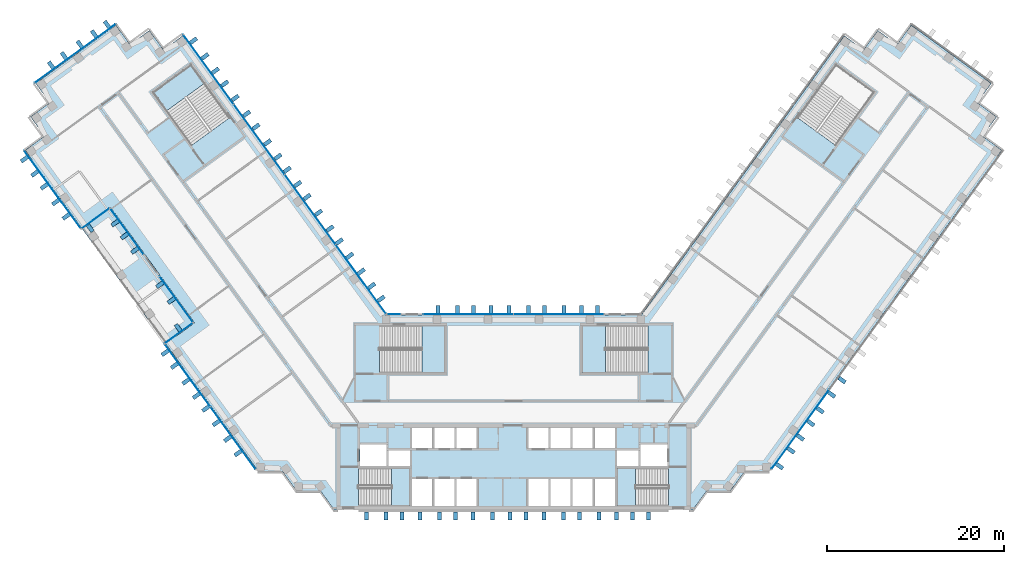
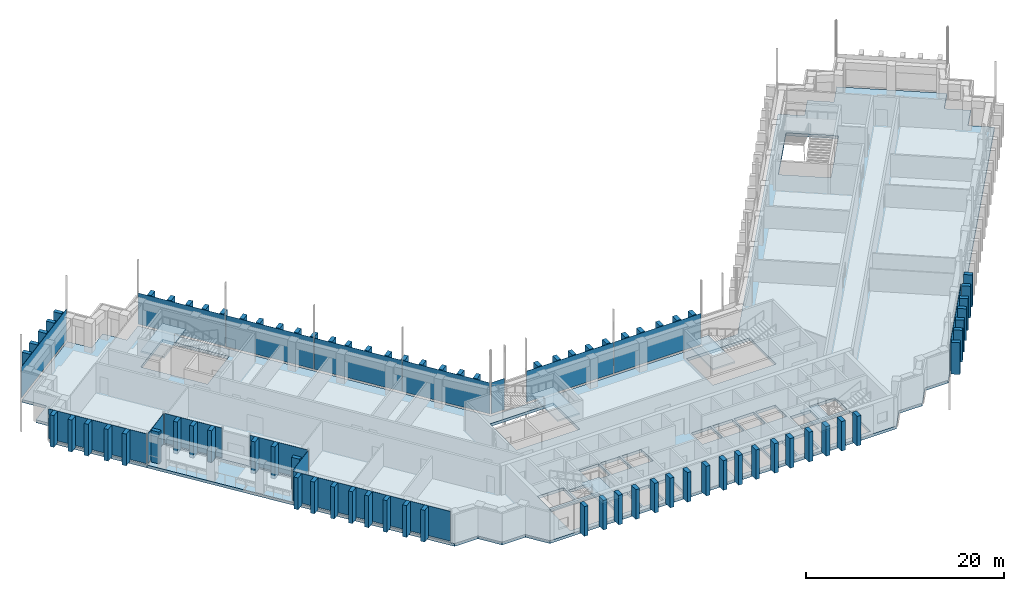
# One storey, part 8 of 19: 94 plates, 7 slabs, 16 elements without a shape of their own.
"""IFC4 building model written with IfcOpenShell, lengths in metres."""

from ifc_helpers import new_model, si_unit, direction, frame, origin, origin_2d, place, context, subcontext, project, spatial, polyline, rectangle, outline, extrude, material, layer, layer_set, type_object, element, aggregate, save


model = new_model("IFC4")

# Units and contexts
model_context = context("Model", 3, precision=1e-05, world=origin(), true_north=direction((0.0, 1.0)))
body_context = subcontext(model_context, "Body", "Model", "MODEL_VIEW")
ifc_project = project(units=[si_unit("LENGTHUNIT", "METRE"), si_unit("AREAUNIT", "SQUARE_METRE"), si_unit("VOLUMEUNIT", "CUBIC_METRE"), si_unit("PLANEANGLEUNIT", "RADIAN"), si_unit("MASSUNIT", "GRAM", prefix="KILO")], contexts=[model_context])

# Site, building, storey
site_placement = place(None, origin())
site = spatial("IfcSite", under=ifc_project, at=site_placement, CompositionType="ELEMENT")
building_placement = place(site_placement, origin())
building = spatial("IfcBuilding", under=site, at=building_placement, Name="Quipu Civic Tower", CompositionType="ELEMENT")
storey_placement = place(building_placement, frame((0.0, 0.0, 47.0)))
storey = spatial("IfcBuildingStorey", under=building, at=storey_placement, Name="L10", CompositionType="ELEMENT", Elevation=47.0)

# Slab
ifc_material_1 = material(Name="Concrete C40/50", Category="concrete")
ifc_layer_1 = layer(ifc_material_1, 0.35009765625)
ifc_layer_set_1 = layer_set([ifc_layer_1], Name="Concrete C40/50")
slab_type_1 = type_object("IfcSlabType", Name="Floor slab 350 C40/50", PredefinedType="FLOOR", material=ifc_layer_set_1)
slab_1_placement = place(storey_placement, frame((0.0, 0.0, -0.35009765625)))
element("IfcSlab", 1, at=slab_1_placement, inside=storey, type_object=slab_type_1, Name="Floor slab L10", PredefinedType="FLOOR", context=body_context, shape_type="SweptSolid", body=[
    extrude(outline(polyline([(-54.514892578125, 33.389892578125), (-52.3349609375, 34.97509765625), (-53.919921875, 37.159912109375), (-44.860107421875, 43.739990234375), (-43.27001953125, 41.56005859375), (-41.0849609375, 43.14501953125), (-39.5, 40.9599609375), (-37.31494140625, 42.550048828125), (-14.39501953125, 11.0), (14.39501953125, 11.0), (37.31494140625, 42.550048828125), (39.5, 40.9599609375), (41.0849609375, 43.14501953125), (43.27001953125, 41.56005859375), (44.860107421875, 43.739990234375), (53.919921875, 37.159912109375), (52.3349609375, 34.97509765625), (54.514892578125, 33.389892578125), (52.929931640625, 31.205078125), (55.114990234375, 29.614990234375), (28.780029296875, -6.6298828125), (26.080078125, -6.6298828125), (24.489990234375, -8.81494140625), (21.7900390625, -8.81494140625), (20.205078125, -11.0), (-20.205078125, -11.0), (-21.7900390625, -8.81494140625), (-24.489990234375, -8.81494140625), (-26.080078125, -6.6298828125), (-28.780029296875, -6.6298828125), (-39.2451171875, 7.77490234375), (-35.985107421875, 10.139892578125), (-45.5048828125, 23.2451171875), (-48.764892578125, 20.8798828125), (-55.114990234375, 29.614990234375), (-52.929931640625, 31.205078125), (-54.514892578125, 33.389892578125)]), holes=[polyline([(-11.449951171875, -7.5), (-11.449951171875, -10.5), (-9.14990234375, -10.5), (-9.14990234375, -7.5), (-11.449951171875, -7.5)]), polyline([(-6.64990234375, -7.5), (-8.949951171875, -7.5), (-8.949951171875, -10.5), (-6.64990234375, -10.5), (-6.64990234375, -7.5)]), polyline([(-4.14990234375, -7.5), (-6.449951171875, -7.5), (-6.449951171875, -10.5), (-4.14990234375, -10.5), (-4.14990234375, -7.5)]), polyline([(1.64990234375, -7.5), (1.64990234375, -10.5), (3.949951171875, -10.5), (3.949951171875, -7.5), (1.64990234375, -7.5)]), polyline([(-11.705078125, -10.4951171875), (-11.705078125, -6.2548828125), (-17.4951171875, -6.2548828125), (-17.4951171875, -10.4951171875), (-11.705078125, -10.4951171875)]), polyline([(-11.699951171875, -4.25), (-14.10009765625, -4.25), (-14.10009765625, -6.0), (-11.699951171875, -6.0), (-11.699951171875, -4.25)]), polyline([(-17.35009765625, -3.60009765625), (-17.35009765625, -6.0), (-14.35009765625, -6.0), (-14.35009765625, -3.60009765625), (-17.35009765625, -3.60009765625)]), polyline([(-9.14990234375, -1.699951171875), (-11.449951171875, -1.699951171875), (-11.449951171875, -4.0), (-9.14990234375, -4.0), (-9.14990234375, -1.699951171875)]), polyline([(-6.64990234375, -1.699951171875), (-8.949951171875, -1.699951171875), (-8.949951171875, -4.0), (-6.64990234375, -4.0), (-6.64990234375, -1.699951171875)]), polyline([(-6.449951171875, -1.699951171875), (-6.449951171875, -4.0), (-4.14990234375, -4.0), (-4.14990234375, -1.699951171875), (-6.449951171875, -1.699951171875)]), polyline([(-7.7548828125, 4.5048828125), (-7.7548828125, 9.844970703125), (-15.14501953125, 9.844970703125), (-15.14501953125, 4.5048828125), (-7.7548828125, 4.5048828125)]), polyline([(-36.364990234375, 39.27490234375), (-40.68505859375, 36.135009765625), (-36.344970703125, 30.159912109375), (-32.02490234375, 33.300048828125), (-36.364990234375, 39.27490234375)]), polyline([(4.14990234375, -7.5), (4.14990234375, -10.5), (6.449951171875, -10.5), (6.449951171875, -7.5), (4.14990234375, -7.5)]), polyline([(8.949951171875, -7.5), (6.64990234375, -7.5), (6.64990234375, -10.5), (8.949951171875, -10.5), (8.949951171875, -7.5)]), polyline([(11.449951171875, -7.5), (9.14990234375, -7.5), (9.14990234375, -10.5), (11.449951171875, -10.5), (11.449951171875, -7.5)]), polyline([(11.705078125, -10.4951171875), (17.4951171875, -10.4951171875), (17.4951171875, -6.2548828125), (11.705078125, -6.2548828125), (11.705078125, -10.4951171875)]), polyline([(14.10009765625, -4.25), (11.699951171875, -4.25), (11.699951171875, -6.0), (14.10009765625, -6.0), (14.10009765625, -4.25)]), polyline([(17.35009765625, -3.60009765625), (14.35009765625, -3.60009765625), (14.35009765625, -6.0), (17.35009765625, -6.0), (17.35009765625, -3.60009765625)]), polyline([(1.64990234375, -1.699951171875), (1.64990234375, -4.0), (3.949951171875, -4.0), (3.949951171875, -1.699951171875), (1.64990234375, -1.699951171875)]), polyline([(6.449951171875, -1.699951171875), (4.14990234375, -1.699951171875), (4.14990234375, -4.0), (6.449951171875, -4.0), (6.449951171875, -1.699951171875)]), polyline([(8.949951171875, -1.699951171875), (6.64990234375, -1.699951171875), (6.64990234375, -4.0), (8.949951171875, -4.0), (8.949951171875, -1.699951171875)]), polyline([(9.14990234375, -1.699951171875), (9.14990234375, -4.0), (11.449951171875, -4.0), (11.449951171875, -1.699951171875), (9.14990234375, -1.699951171875)]), polyline([(7.7548828125, 9.844970703125), (7.7548828125, 4.5048828125), (15.14501953125, 4.5048828125), (15.14501953125, 9.844970703125), (7.7548828125, 9.844970703125)]), polyline([(40.68505859375, 36.135009765625), (36.364990234375, 39.27490234375), (32.02490234375, 33.300048828125), (36.344970703125, 30.159912109375), (40.68505859375, 36.135009765625)])]), origin(), (0.0, 0.0, 1.0), 0.35009765625),
])

# Curtain wall, plate
ifc_material_2 = material(Name="Insulated glass unit", Category="glass")
curtain_wall_type = type_object("IfcCurtainWallType", Name="Office curtain wall CW1", PredefinedType="NOTDEFINED", material=ifc_material_2)
curtain_wall_1_placement = place(storey_placement, origin())
curtain_wall_1 = element("IfcCurtainWall", 2, at=curtain_wall_1_placement, inside=storey, type_object=curtain_wall_type, Name="Office curtain wall CW1 L10 run 1", PredefinedType="NOTDEFINED")
ifc_material_3 = material(Name="Insulated glass unit", Category="glass")
ifc_layer_2 = layer(ifc_material_3, 0.028076171875)
ifc_layer_set_2 = layer_set([ifc_layer_2], Name="Insulated glass unit")
plate_type_1 = type_object("IfcPlateType", Name="Glass panel CW1", PredefinedType="CURTAIN_PANEL", material=ifc_layer_set_2)
plate_1_placement = place(storey_placement, frame((-52.021240234375, 25.18896484375, 0.240234375), z_axis=(0.0, 0.0, 1.0), x_axis=(0.587788390037, -0.809014714661, 0.0)))
plate_1 = element("IfcPlate", 3, at=plate_1_placement, type_object=plate_type_1, Name="CW1 panel 1.1", PredefinedType="CURTAIN_PANEL", context=body_context, shape_type="SweptSolid", body=[
    extrude(rectangle(XDim=10.840087890625, YDim=0.028076171875, at=origin_2d()), origin(), (0.0, 0.0, 1.0), 3.679931640625),
])
aggregate(curtain_wall_1, [plate_1])

curtain_wall_2_placement = place(storey_placement, origin())
curtain_wall_2 = element("IfcCurtainWall", 4, at=curtain_wall_2_placement, inside=storey, type_object=curtain_wall_type, Name="Office curtain wall CW1 L10 run 2", PredefinedType="NOTDEFINED")
plate_2_placement = place(storey_placement, frame((-47.15869140625, 21.92333984375, 0.240234375), z_axis=(0.0, 0.0, 1.0), x_axis=(0.809010786419, 0.587793796716, 0.0)))
plate_2 = element("IfcPlate", 5, at=plate_2_placement, type_object=plate_type_1, Name="CW1 panel 1.1", PredefinedType="CURTAIN_PANEL", context=body_context, shape_type="SweptSolid", body=[
    extrude(rectangle(XDim=3.86865234375, YDim=0.028076171875, at=origin_2d()), origin(), (0.0, 0.0, 1.0), 3.679931640625),
])
aggregate(curtain_wall_2, [plate_2])

curtain_wall_3_placement = place(storey_placement, origin())
curtain_wall_3 = element("IfcCurtainWall", 6, at=curtain_wall_3_placement, inside=storey, type_object=curtain_wall_type, Name="Office curtain wall CW1 L10 run 3", PredefinedType="NOTDEFINED")
plate_3_placement = place(storey_placement, frame((-43.613525390625, 20.470458984375, 0.240234375), z_axis=(0.0, 0.0, 1.0), x_axis=(0.587778491936, -0.809021906018, 0.0)))
plate_3 = element("IfcPlate", 7, at=plate_3_placement, type_object=plate_type_1, Name="CW1 panel 1.1", PredefinedType="CURTAIN_PANEL", context=body_context, shape_type="SweptSolid", body=[
    extrude(rectangle(XDim=6.358642578125, YDim=0.028076171875, at=origin_2d()), origin(), (0.0, 0.0, 1.0), 3.679931640625),
])
aggregate(curtain_wall_3, [plate_3])

curtain_wall_4_placement = place(storey_placement, origin())
curtain_wall_4 = element("IfcCurtainWall", 8, at=curtain_wall_4_placement, inside=storey, type_object=curtain_wall_type, Name="Office curtain wall CW1 L10 run 5", PredefinedType="NOTDEFINED")
plate_4_placement = place(storey_placement, frame((-38.040283203125, 12.7998046875, 0.240234375), z_axis=(0.0, 0.0, 1.0), x_axis=(0.587783041125, -0.809018600878, 0.0)))
plate_4 = element("IfcPlate", 9, at=plate_4_placement, type_object=plate_type_1, Name="CW1 panel 1.1", PredefinedType="CURTAIN_PANEL", context=body_context, shape_type="SweptSolid", body=[
    extrude(rectangle(XDim=6.3583984375, YDim=0.028076171875, at=origin_2d()), origin(), (0.0, 0.0, 1.0), 3.679931640625),
])
aggregate(curtain_wall_4, [plate_4])

curtain_wall_5_placement = place(storey_placement, origin())
curtain_wall_5 = element("IfcCurtainWall", 10, at=curtain_wall_5_placement, inside=storey, type_object=curtain_wall_type, Name="Office curtain wall CW1 L10 run 6", PredefinedType="NOTDEFINED")
plate_5_placement = place(storey_placement, frame((-37.75439453125, 8.979248046875, 0.240234375), z_axis=(0.0, 0.0, 1.0), x_axis=(-0.809022590251, -0.587777550153, 0.0)))
plate_5 = element("IfcPlate", 11, at=plate_5_placement, type_object=plate_type_1, Name="CW1 panel 1.1", PredefinedType="CURTAIN_PANEL", context=body_context, shape_type="SweptSolid", body=[
    extrude(rectangle(XDim=3.86865234375, YDim=0.028076171875, at=origin_2d()), origin(), (0.0, 0.0, 1.0), 3.679931640625),
])
aggregate(curtain_wall_5, [plate_5])

# Curtain wall, plates
curtain_wall_6_placement = place(storey_placement, origin())
curtain_wall_6 = element("IfcCurtainWall", 12, at=curtain_wall_6_placement, inside=storey, type_object=curtain_wall_type, Name="Office curtain wall CW1 L10 run 7", PredefinedType="NOTDEFINED")
plate_6_placement = place(storey_placement, frame((-36.7900390625, 4.22509765625, 0.240234375), z_axis=(0.0, 0.0, 1.0), x_axis=(0.587784507363, -0.809017535597, 0.0)))
plate_6 = element("IfcPlate", 13, at=plate_6_placement, type_object=plate_type_1, Name="CW1 panel 1.1", PredefinedType="CURTAIN_PANEL", context=body_context, shape_type="SweptSolid", body=[
    extrude(rectangle(XDim=8.66552734375, YDim=0.028076171875, at=origin_2d()), origin(), (0.0, 0.0, 1.0), 3.679931640625),
])
plate_7_placement = place(storey_placement, frame((-31.649658203125, -2.85009765625, 0.240234375), z_axis=(0.0, 0.0, 1.0), x_axis=(0.587784507363, -0.809017535597, 0.0)))
plate_7 = element("IfcPlate", 14, at=plate_7_placement, type_object=plate_type_1, Name="CW1 panel 2.1", PredefinedType="CURTAIN_PANEL", context=body_context, shape_type="SweptSolid", body=[
    extrude(rectangle(XDim=8.66552734375, YDim=0.028076171875, at=origin_2d()), origin(), (0.0, 0.0, 1.0), 3.679931640625),
])
aggregate(curtain_wall_6, [plate_6, plate_7])

# Curtain wall, plate
curtain_wall_7_placement = place(storey_placement, origin())
curtain_wall_7 = element("IfcCurtainWall", 15, at=curtain_wall_7_placement, inside=storey, type_object=curtain_wall_type, Name="Office curtain wall CW1 L09 run 19", PredefinedType="NOTDEFINED")
plate_8_placement = place(storey_placement, frame((32.342529296875, -1.896484375, 0.16015625), z_axis=(0.0, 0.0, 1.0), x_axis=(0.587785559869, 0.809016770908, 0.0)))
plate_8 = element("IfcPlate", 16, at=plate_8_placement, type_object=plate_type_1, Name="CW1 panel 1.2", PredefinedType="CURTAIN_PANEL", context=body_context, shape_type="SweptSolid", body=[
    extrude(rectangle(XDim=11.022705078125, YDim=0.028076171875, at=origin_2d()), origin(), (0.0, 0.0, 1.0), 3.840087890625),
])
aggregate(curtain_wall_7, [plate_8])

# Curtain wall, plates
curtain_wall_8_placement = place(storey_placement, origin())
curtain_wall_8 = element("IfcCurtainWall", 17, at=curtain_wall_8_placement, inside=storey, type_object=curtain_wall_type, Name="Office curtain wall CW1 L09 run 32", PredefinedType="NOTDEFINED")
plate_9_placement = place(storey_placement, frame((5.11181640625, 11.10009765625, 0.16015625), z_axis=(0.0, 0.0, 1.0), x_axis=(-1.0, 0.0, 0.0)))
plate_9 = element("IfcPlate", 18, at=plate_9_placement, type_object=plate_type_1, Name="CW1 panel 1.2", PredefinedType="CURTAIN_PANEL", context=body_context, shape_type="SweptSolid", body=[
    extrude(rectangle(XDim=10.1435546875, YDim=0.028076171875, at=origin_2d()), origin(), (0.0, 0.0, 1.0), 3.840087890625),
])
plate_10_placement = place(storey_placement, frame((-5.11181640625, 11.10009765625, 0.16015625), z_axis=(0.0, 0.0, 1.0), x_axis=(-1.0, 0.0, 0.0)))
plate_10 = element("IfcPlate", 19, at=plate_10_placement, type_object=plate_type_1, Name="CW1 panel 2.2", PredefinedType="CURTAIN_PANEL", context=body_context, shape_type="SweptSolid", body=[
    extrude(rectangle(XDim=10.1435546875, YDim=0.028076171875, at=origin_2d()), origin(), (0.0, 0.0, 1.0), 3.840087890625),
])
aggregate(curtain_wall_8, [plate_9, plate_10])

# Curtain wall, plate
curtain_wall_9_placement = place(storey_placement, origin())
curtain_wall_9 = element("IfcCurtainWall", 20, at=curtain_wall_9_placement, inside=storey, type_object=curtain_wall_type, Name="Office curtain wall CW1 L09 run 34", PredefinedType="NOTDEFINED")
plate_11_placement = place(storey_placement, frame((-13.49951171875, 11.10009765625, 0.16015625), z_axis=(0.0, 0.0, 1.0), x_axis=(-1.0, 0.0, 0.0)))
plate_11 = element("IfcPlate", 21, at=plate_11_placement, type_object=plate_type_1, Name="CW1 panel 1.2", PredefinedType="CURTAIN_PANEL", context=body_context, shape_type="SweptSolid", body=[
    extrude(rectangle(XDim=1.529296875, YDim=0.028076171875, at=origin_2d()), origin(), (0.0, 0.0, 1.0), 3.840087890625),
])
aggregate(curtain_wall_9, [plate_11])

# Curtain wall, plates
curtain_wall_10_placement = place(storey_placement, origin())
curtain_wall_10 = element("IfcCurtainWall", 22, at=curtain_wall_10_placement, inside=storey, type_object=curtain_wall_type, Name="Office curtain wall CW1 L09 run 35", PredefinedType="NOTDEFINED")
plate_12_placement = place(storey_placement, frame((-17.224609375, 15.064697265625, 0.16015625), z_axis=(0.0, 0.0, 1.0), x_axis=(-0.587785887566, 0.809016532822, 0.0)))
plate_12 = element("IfcPlate", 23, at=plate_12_placement, type_object=plate_type_1, Name="CW1 panel 1.2", PredefinedType="CURTAIN_PANEL", context=body_context, shape_type="SweptSolid", body=[
    extrude(rectangle(XDim=9.64111328125, YDim=0.028076171875, at=origin_2d()), origin(), (0.0, 0.0, 1.0), 3.840087890625),
])
plate_13_placement = place(storey_placement, frame((-22.950439453125, 22.9453125, 0.16015625), z_axis=(0.0, 0.0, 1.0), x_axis=(-0.587785887566, 0.809016532822, 0.0)))
plate_13 = element("IfcPlate", 24, at=plate_13_placement, type_object=plate_type_1, Name="CW1 panel 2.2", PredefinedType="CURTAIN_PANEL", context=body_context, shape_type="SweptSolid", body=[
    extrude(rectangle(XDim=9.68115234375, YDim=0.028076171875, at=origin_2d()), origin(), (0.0, 0.0, 1.0), 3.840087890625),
])
plate_14_placement = place(storey_placement, frame((-28.687744140625, 30.84228515625, 0.16015625), z_axis=(0.0, 0.0, 1.0), x_axis=(-0.587785887566, 0.809016532822, 0.0)))
plate_14 = element("IfcPlate", 25, at=plate_14_placement, type_object=plate_type_1, Name="CW1 panel 3.2", PredefinedType="CURTAIN_PANEL", context=body_context, shape_type="SweptSolid", body=[
    extrude(rectangle(XDim=9.68115234375, YDim=0.028076171875, at=origin_2d()), origin(), (0.0, 0.0, 1.0), 3.840087890625),
])
plate_15_placement = place(storey_placement, frame((-34.413330078125, 38.722900390625, 0.16015625), z_axis=(0.0, 0.0, 1.0), x_axis=(-0.587785887566, 0.809016532822, 0.0)))
plate_15 = element("IfcPlate", 26, at=plate_15_placement, type_object=plate_type_1, Name="CW1 panel 4.2", PredefinedType="CURTAIN_PANEL", context=body_context, shape_type="SweptSolid", body=[
    extrude(rectangle(XDim=9.64111328125, YDim=0.028076171875, at=origin_2d()), origin(), (0.0, 0.0, 1.0), 3.840087890625),
])
aggregate(curtain_wall_10, [plate_12, plate_13, plate_14, plate_15])

# Curtain wall, plate
curtain_wall_11_placement = place(storey_placement, origin())
curtain_wall_11 = element("IfcCurtainWall", 27, at=curtain_wall_11_placement, inside=storey, type_object=curtain_wall_type, Name="Office curtain wall CW1 L09 run 40", PredefinedType="NOTDEFINED")
plate_16_placement = place(storey_placement, frame((-49.447998046875, 40.53173828125, 0.16015625), z_axis=(0.0, 0.0, 1.0), x_axis=(-0.809019348124, -0.587782012621, 0.0)))
plate_16 = element("IfcPlate", 28, at=plate_16_placement, type_object=plate_type_1, Name="CW1 panel 1.2", PredefinedType="CURTAIN_PANEL", context=body_context, shape_type="SweptSolid", body=[
    extrude(rectangle(XDim=11.239990234375, YDim=0.028076171875, at=origin_2d()), origin(), (0.0, 0.0, 1.0), 3.840087890625),
])
aggregate(curtain_wall_11, [plate_16])

# Plates
ifc_material_4 = material(Name="Precast concrete C40/50", Category="concrete")
plate_type_2 = type_object("IfcPlateType", Name="Precast fin F1", PredefinedType="SHEET", material=ifc_material_4)
for number, where, z_axis, x_axis, name in (
    (29, (-55.184814453125, 28.607421875, 0.080078125), (0.0, 0.0, 1.0), (0.587785695647, -0.809016672259, 0.0), "Precast fin F1 L10.1.1"),
    (30, (-54.00927734375, 26.989501953125, 0.080078125), (0.0, 0.0, 1.0), (0.587785695647, -0.809016672259, 0.0), "Precast fin F1 L10.1.2"),
    (31, (-52.951171875, 25.533203125, 0.080078125), (0.0, 0.0, 1.0), (0.587785695647, -0.809016672259, 0.0), "Precast fin F1 L10.1.3"),
    (32, (-51.657958984375, 23.75341796875, 0.080078125), (0.0, 0.0, 1.0), (0.587785695647, -0.809016672259, 0.0), "Precast fin F1 L10.1.4"),
    (33, (-50.482421875, 22.13525390625, 0.080078125), (0.0, 0.0, 1.0), (0.587785695647, -0.809016672259, 0.0), "Precast fin F1 L10.1.5"),
    (34, (-47.75732421875, 20.808837890625, 0.080078125), (0.0, 0.0, 1.0), (0.809010786419, 0.587793796716, 0.0), "Precast fin F1 L10.2.1"),
    (35, (-44.960205078125, 21.388671875, 0.080078125), (0.0, 0.0, 1.0), (0.587783675566, -0.809018139931, 0.0), "Precast fin F1 L10.3.1"),
    (36, (-43.90234375, 19.932373046875, 0.080078125), (0.0, 0.0, 1.0), (0.587783675566, -0.809018139931, 0.0), "Precast fin F1 L10.3.2"),
    (37, (-42.7265625, 18.314208984375, 0.080078125), (0.0, 0.0, 1.0), (0.587783675566, -0.809018139931, 0.0), "Precast fin F1 L10.3.3"),
    (38, (-39.9052734375, 14.430908203125, 0.080078125), (0.0, 0.0, 1.0), (0.587783675566, -0.809018139931, 0.0), "Precast fin F1 L10.5.1"),
    (39, (-38.612060546875, 12.651123046875, 0.080078125), (0.0, 0.0, 1.0), (0.587783675566, -0.809018139931, 0.0), "Precast fin F1 L10.5.2"),
    (40, (-37.843505859375, 9.59423828125, 0.080078125), (0.0, 0.0, 1.0), (-0.809022590251, -0.587777550153, 0.0), "Precast fin F1 L10.6.1"),
    (41, (-39.314453125, 6.76416015625, 0.080078125), (0.0, 0.0, 1.0), (0.587784914457, -0.809017239827, 0.0), "Precast fin F1 L10.7.1"),
    (42, (-38.256591796875, 5.307861328125, 0.080078125), (0.0, 0.0, 1.0), (0.587784914457, -0.809017239827, 0.0), "Precast fin F1 L10.7.2"),
    (43, (-36.96337890625, 3.528076171875, 0.080078125), (0.0, 0.0, 1.0), (0.587784914457, -0.809017239827, 0.0), "Precast fin F1 L10.7.3"),
    (44, (-35.787841796875, 1.909912109375, 0.080078125), (0.0, 0.0, 1.0), (0.587784914457, -0.809017239827, 0.0), "Precast fin F1 L10.7.4"),
    (45, (-34.729736328125, 0.45361328125, 0.080078125), (0.0, 0.0, 1.0), (0.587784914457, -0.809017239827, 0.0), "Precast fin F1 L10.7.5"),
    (46, (-33.55419921875, -1.164306640625, 0.080078125), (0.0, 0.0, 1.0), (0.587784914457, -0.809017239827, 0.0), "Precast fin F1 L10.7.6"),
    (47, (-32.26123046875, -2.944091796875, 0.080078125), (0.0, 0.0, 1.0), (0.587784914457, -0.809017239827, 0.0), "Precast fin F1 L10.7.7"),
    (48, (-31.08544921875, -4.562255859375, 0.080078125), (0.0, 0.0, 1.0), (0.587784914457, -0.809017239827, 0.0), "Precast fin F1 L10.7.8"),
):
    element("IfcPlate", number, at=place(storey_placement, frame(where, z_axis=z_axis, x_axis=x_axis)), inside=storey, type_object=plate_type_2, Name=name, PredefinedType="SHEET", context=body_context, shape_type="SweptSolid", body=[
        extrude(rectangle(XDim=0.449951171875, YDim=0.89990234375, at=origin_2d()), origin(), (0.0, 0.0, 1.0), 3.919921875),
    ])
for number, where, z_axis, x_axis, name in (
    (49, (-16.574951171875, -11.637939453125, 0.0), (0.0, 0.0, 1.0), (1.0, 0.0, 0.0), "Precast fin F1 L10.P10.1"),
    (50, (-14.375, -11.637939453125, 0.0), (0.0, 0.0, 1.0), (1.0, 0.0, 0.0), "Precast fin F1 L10.P10.2"),
    (51, (-12.574951171875, -11.637939453125, 0.0), (0.0, 0.0, 1.0), (1.0, 0.0, 0.0), "Precast fin F1 L10.P10.3"),
    (52, (-10.574951171875, -11.637939453125, 0.0), (0.0, 0.0, 1.0), (1.0, 0.0, 0.0), "Precast fin F1 L10.P10.4"),
    (53, (-8.375, -11.637939453125, 0.0), (0.0, 0.0, 1.0), (1.0, 0.0, 0.0), "Precast fin F1 L10.P10.5"),
    (54, (-6.574951171875, -11.637939453125, 0.0), (0.0, 0.0, 1.0), (1.0, 0.0, 0.0), "Precast fin F1 L10.P10.6"),
    (55, (-4.574951171875, -11.637939453125, 0.0), (0.0, 0.0, 1.0), (1.0, 0.0, 0.0), "Precast fin F1 L10.P10.7"),
    (56, (-2.375, -11.637939453125, 0.0), (0.0, 0.0, 1.0), (1.0, 0.0, 0.0), "Precast fin F1 L10.P10.8"),
    (57, (-0.375, -11.637939453125, 0.0), (0.0, 0.0, 1.0), (1.0, 0.0, 0.0), "Precast fin F1 L10.P10.9"),
    (58, (1.425048828125, -11.637939453125, 0.0), (0.0, 0.0, 1.0), (1.0, 0.0, 0.0), "Precast fin F1 L10.P10.10"),
    (59, (3.425048828125, -11.637939453125, 0.0), (0.0, 0.0, 1.0), (1.0, 0.0, 0.0), "Precast fin F1 L10.P10.11"),
    (60, (5.625, -11.637939453125, 0.0), (0.0, 0.0, 1.0), (1.0, 0.0, 0.0), "Precast fin F1 L10.P10.12"),
    (61, (7.425048828125, -11.637939453125, 0.0), (0.0, 0.0, 1.0), (1.0, 0.0, 0.0), "Precast fin F1 L10.P10.13"),
    (62, (9.625, -11.637939453125, 0.0), (0.0, 0.0, 1.0), (1.0, 0.0, 0.0), "Precast fin F1 L10.P10.14"),
    (63, (11.625, -11.637939453125, 0.0), (0.0, 0.0, 1.0), (1.0, 0.0, 0.0), "Precast fin F1 L10.P10.15"),
    (64, (13.425048828125, -11.637939453125, 0.0), (0.0, 0.0, 1.0), (1.0, 0.0, 0.0), "Precast fin F1 L10.P10.16"),
    (65, (15.22509765625, -11.637939453125, 0.0), (0.0, 0.0, 1.0), (1.0, 0.0, 0.0), "Precast fin F1 L10.P10.17"),
):
    element("IfcPlate", number, at=place(storey_placement, frame(where, z_axis=z_axis, x_axis=x_axis)), inside=storey, type_object=plate_type_2, Name=name, PredefinedType="SHEET", context=body_context, shape_type="SweptSolid", body=[
        extrude(rectangle(XDim=0.449951171875, YDim=0.89990234375, at=origin_2d()), origin(), (0.0, 0.0, 1.0), 3.64990234375),
    ])
for number, where, z_axis, x_axis, name in (
    (66, (30.014892578125, -6.03564453125, 0.080078125), (0.0, 0.0, 1.0), (0.587785716149, 0.809016657363, 0.0), "Precast fin F1 L10.P16.1"),
    (67, (31.30810546875, -4.255859375, 0.080078125), (0.0, 0.0, 1.0), (0.587785716149, 0.809016657363, 0.0), "Precast fin F1 L10.P16.2"),
    (68, (32.365966796875, -2.7998046875, 0.080078125), (0.0, 0.0, 1.0), (0.587785716149, 0.809016657363, 0.0), "Precast fin F1 L10.P16.3"),
    (69, (33.541748046875, -1.181640625, 0.080078125), (0.0, 0.0, 1.0), (0.587785716149, 0.809016657363, 0.0), "Precast fin F1 L10.P16.4"),
    (70, (34.599609375, 0.274658203125, 0.080078125), (0.0, 0.0, 1.0), (0.587785716149, 0.809016657363, 0.0), "Precast fin F1 L10.P16.5"),
    (71, (35.892822265625, 2.054443359375, 0.080078125), (0.0, 0.0, 1.0), (0.587785716149, 0.809016657363, 0.0), "Precast fin F1 L10.P16.6"),
    (72, (37.068359375, 3.67236328125, 0.080078125), (0.0, 0.0, 1.0), (0.587785716149, 0.809016657363, 0.0), "Precast fin F1 L10.P16.7"),
    (73, (9.47509765625, 11.64990234375, 0.080078125), (0.0, 0.0, 1.0), (-1.0, 0.0, 0.0), "Precast fin F1 L10.P29.1"),
    (74, (7.675048828125, 11.64990234375, 0.080078125), (0.0, 0.0, 1.0), (-1.0, 0.0, 0.0), "Precast fin F1 L10.P29.2"),
    (75, (5.675048828125, 11.64990234375, 0.080078125), (0.0, 0.0, 1.0), (-1.0, 0.0, 0.0), "Precast fin F1 L10.P29.3"),
    (76, (3.47509765625, 11.64990234375, 0.080078125), (0.0, 0.0, 1.0), (-1.0, 0.0, 0.0), "Precast fin F1 L10.P29.4"),
    (77, (1.675048828125, 11.64990234375, 0.080078125), (0.0, 0.0, 1.0), (-1.0, 0.0, 0.0), "Precast fin F1 L10.P29.5"),
    (78, (-0.52490234375, 11.64990234375, 0.080078125), (0.0, 0.0, 1.0), (-1.0, 0.0, 0.0), "Precast fin F1 L10.P29.6"),
    (79, (-2.52490234375, 11.64990234375, 0.080078125), (0.0, 0.0, 1.0), (-1.0, 0.0, 0.0), "Precast fin F1 L10.P29.7"),
    (80, (-4.52490234375, 11.64990234375, 0.080078125), (0.0, 0.0, 1.0), (-1.0, 0.0, 0.0), "Precast fin F1 L10.P29.8"),
    (81, (-6.324951171875, 11.64990234375, 0.080078125), (0.0, 0.0, 1.0), (-1.0, 0.0, 0.0), "Precast fin F1 L10.P29.9"),
    (82, (-8.52490234375, 11.64990234375, 0.080078125), (0.0, 0.0, 1.0), (-1.0, 0.0, 0.0), "Precast fin F1 L10.P29.10"),
    (83, (-14.942138671875, 12.8583984375, 0.080078125), (0.0, 0.0, 1.0), (-0.587784944053, 0.809017218324, 0.0), "Precast fin F1 L10.P32.1"),
    (84, (-16.0, 14.314697265625, 0.080078125), (0.0, 0.0, 1.0), (-0.587784944053, 0.809017218324, 0.0), "Precast fin F1 L10.P32.2"),
    (85, (-17.175537109375, 15.932861328125, 0.080078125), (0.0, 0.0, 1.0), (-0.587784944053, 0.809017218324, 0.0), "Precast fin F1 L10.P32.3"),
    (86, (-18.46875, 17.712646484375, 0.080078125), (0.0, 0.0, 1.0), (-0.587784944053, 0.809017218324, 0.0), "Precast fin F1 L10.P32.4"),
    (87, (-19.644287109375, 19.33056640625, 0.080078125), (0.0, 0.0, 1.0), (-0.587784944053, 0.809017218324, 0.0), "Precast fin F1 L10.P32.5"),
    (88, (-20.702392578125, 20.786865234375, 0.080078125), (0.0, 0.0, 1.0), (-0.587784944053, 0.809017218324, 0.0), "Precast fin F1 L10.P32.6"),
    (89, (-21.995361328125, 22.566650390625, 0.080078125), (0.0, 0.0, 1.0), (-0.587784944053, 0.809017218324, 0.0), "Precast fin F1 L10.P32.7"),
    (90, (-23.28857421875, 24.3466796875, 0.080078125), (0.0, 0.0, 1.0), (-0.587784944053, 0.809017218324, 0.0), "Precast fin F1 L10.P32.8"),
    (91, (-24.3466796875, 25.802734375, 0.080078125), (0.0, 0.0, 1.0), (-0.587784944053, 0.809017218324, 0.0), "Precast fin F1 L10.P32.9"),
    (92, (-25.522216796875, 27.4208984375, 0.080078125), (0.0, 0.0, 1.0), (-0.587784944053, 0.809017218324, 0.0), "Precast fin F1 L10.P32.10"),
    (93, (-26.580078125, 28.876953125, 0.080078125), (0.0, 0.0, 1.0), (-0.587784944053, 0.809017218324, 0.0), "Precast fin F1 L10.P32.11"),
    (94, (-27.755859375, 30.4951171875, 0.080078125), (0.0, 0.0, 1.0), (-0.587784944053, 0.809017218324, 0.0), "Precast fin F1 L10.P32.12"),
    (95, (-29.048828125, 32.27490234375, 0.080078125), (0.0, 0.0, 1.0), (-0.587784944053, 0.809017218324, 0.0), "Precast fin F1 L10.P32.13"),
    (96, (-30.10693359375, 33.731201171875, 0.080078125), (0.0, 0.0, 1.0), (-0.587784944053, 0.809017218324, 0.0), "Precast fin F1 L10.P32.14"),
    (97, (-31.400146484375, 35.510986328125, 0.080078125), (0.0, 0.0, 1.0), (-0.587784944053, 0.809017218324, 0.0), "Precast fin F1 L10.P32.15"),
    (98, (-32.57568359375, 37.129150390625, 0.080078125), (0.0, 0.0, 1.0), (-0.587784944053, 0.809017218324, 0.0), "Precast fin F1 L10.P32.16"),
    (99, (-33.633544921875, 38.585205078125, 0.080078125), (0.0, 0.0, 1.0), (-0.587784944053, 0.809017218324, 0.0), "Precast fin F1 L10.P32.17"),
    (100, (-34.80908203125, 40.203369140625, 0.080078125), (0.0, 0.0, 1.0), (-0.587784944053, 0.809017218324, 0.0), "Precast fin F1 L10.P32.18"),
    (101, (-36.102294921875, 41.983154296875, 0.080078125), (0.0, 0.0, 1.0), (-0.587784944053, 0.809017218324, 0.0), "Precast fin F1 L10.P32.19"),
    (102, (-45.867919921875, 43.812744140625, 0.080078125), (0.0, 0.0, 1.0), (-0.809021318545, -0.587779300537, 0.0), "Precast fin F1 L10.P37.1"),
    (103, (-47.323974609375, 42.754638671875, 0.080078125), (0.0, 0.0, 1.0), (-0.809021318545, -0.587779300537, 0.0), "Precast fin F1 L10.P37.2"),
    (104, (-48.942138671875, 41.5791015625, 0.080078125), (0.0, 0.0, 1.0), (-0.809021318545, -0.587779300537, 0.0), "Precast fin F1 L10.P37.3"),
    (105, (-50.721923828125, 40.2861328125, 0.080078125), (0.0, 0.0, 1.0), (-0.809021318545, -0.587779300537, 0.0), "Precast fin F1 L10.P37.4"),
    (106, (-52.17822265625, 39.22802734375, 0.080078125), (0.0, 0.0, 1.0), (-0.809021318545, -0.587779300537, 0.0), "Precast fin F1 L10.P37.5"),
):
    element("IfcPlate", number, at=place(storey_placement, frame(where, z_axis=z_axis, x_axis=x_axis)), inside=storey, type_object=plate_type_2, Name=name, PredefinedType="SHEET", context=body_context, shape_type="SweptSolid", body=[
        extrude(rectangle(XDim=0.449951171875, YDim=0.89990234375, at=origin_2d()), origin(), (0.0, 0.0, 1.0), 3.919921875),
    ])

# Stair, slab
ifc_material_5 = material(Name="Concrete C40/50", Category="concrete")
stair_type_1 = type_object("IfcStairType", Name="Half turn stair 2000", PredefinedType="HALF_TURN_STAIR", material=ifc_material_5)
stair_1_placement = place(storey_placement, origin())
stair_1 = element("IfcStair", 107, at=stair_1_placement, inside=storey, type_object=stair_type_1, Name="Exit stair 1", PredefinedType="HALF_TURN_STAIR")
ifc_material_6 = material(Name="Concrete C40/50", Category="concrete")
ifc_layer_3 = layer(ifc_material_6, 0.199951171875)
ifc_layer_set_3 = layer_set([ifc_layer_3], Name="Concrete C40/50")
slab_type_2 = type_object("IfcSlabType", Name="Stair landing 200", PredefinedType="LANDING", material=ifc_layer_set_3)
slab_2_placement = place(storey_placement, frame((0.0, 0.0, 1.800048828125)))
slab_2 = element("IfcSlab", 108, at=slab_2_placement, type_object=slab_type_2, Name="ST-1 landing 1", PredefinedType="LANDING", context=body_context, shape_type="SweptSolid", body=[
    extrude(outline(polyline([(-13.780029296875, -10.5), (-11.699951171875, -10.5), (-11.699951171875, -6.25), (-13.780029296875, -6.25), (-13.780029296875, -10.5)])), origin(), (0.0, 0.0, 1.0), 0.199951171875),
])
aggregate(stair_1, [slab_2])

stair_2_placement = place(storey_placement, origin())
stair_2 = element("IfcStair", 109, at=stair_2_placement, inside=storey, type_object=stair_type_1, Name="Exit stair 2", PredefinedType="HALF_TURN_STAIR")
slab_3_placement = place(storey_placement, frame((0.0, 0.0, 1.800048828125)))
slab_3 = element("IfcSlab", 110, at=slab_3_placement, type_object=slab_type_2, Name="ST-2 landing 1", PredefinedType="LANDING", context=body_context, shape_type="SweptSolid", body=[
    extrude(outline(polyline([(13.780029296875, -6.25), (11.699951171875, -6.25), (11.699951171875, -10.5), (13.780029296875, -10.5), (13.780029296875, -6.25)])), origin(), (0.0, 0.0, 1.0), 0.199951171875),
])
aggregate(stair_2, [slab_3])

ifc_material_7 = material(Name="Concrete C40/50", Category="concrete")
stair_type_2 = type_object("IfcStairType", Name="Half turn stair 2600", PredefinedType="HALF_TURN_STAIR", material=ifc_material_7)
stair_3_placement = place(storey_placement, origin())
stair_3 = element("IfcStair", 111, at=stair_3_placement, inside=storey, type_object=stair_type_2, Name="Exit stair 3", PredefinedType="HALF_TURN_STAIR")
slab_4_placement = place(storey_placement, frame((0.0, 0.0, 1.800048828125)))
slab_4 = element("IfcSlab", 112, at=slab_4_placement, type_object=slab_type_2, Name="ST-3 landing 1", PredefinedType="LANDING", context=body_context, shape_type="SweptSolid", body=[
    extrude(outline(polyline([(-10.35009765625, 4.5), (-7.75, 4.5), (-7.75, 9.85009765625), (-10.35009765625, 9.85009765625), (-10.35009765625, 4.5)])), origin(), (0.0, 0.0, 1.0), 0.199951171875),
])
aggregate(stair_3, [slab_4])

stair_4_placement = place(storey_placement, origin())
stair_4 = element("IfcStair", 113, at=stair_4_placement, inside=storey, type_object=stair_type_2, Name="Exit stair 4", PredefinedType="HALF_TURN_STAIR")
slab_5_placement = place(storey_placement, frame((0.0, 0.0, 1.800048828125)))
slab_5 = element("IfcSlab", 114, at=slab_5_placement, type_object=slab_type_2, Name="ST-4 landing 1", PredefinedType="LANDING", context=body_context, shape_type="SweptSolid", body=[
    extrude(outline(polyline([(10.35009765625, 9.85009765625), (7.75, 9.85009765625), (7.75, 4.5), (10.35009765625, 4.5), (10.35009765625, 9.85009765625)])), origin(), (0.0, 0.0, 1.0), 0.199951171875),
])
aggregate(stair_4, [slab_5])

stair_5_placement = place(storey_placement, origin())
stair_5 = element("IfcStair", 115, at=stair_5_placement, inside=storey, type_object=stair_type_2, Name="Exit stair 6", PredefinedType="HALF_TURN_STAIR")
slab_6_placement = place(storey_placement, frame((0.0, 0.0, 1.800048828125)))
slab_6 = element("IfcSlab", 116, at=slab_6_placement, type_object=slab_type_2, Name="ST-6 landing 1", PredefinedType="LANDING", context=body_context, shape_type="SweptSolid", body=[
    extrude(outline(polyline([(-34.837158203125, 37.179443359375), (-36.365478515625, 39.282958984375), (-40.69384765625, 36.138427734375), (-39.16552734375, 34.034912109375), (-34.837158203125, 37.179443359375)])), origin(), (0.0, 0.0, 1.0), 0.199951171875),
])
aggregate(stair_5, [slab_6])

# Slab
ifc_material_8 = material(Name="Concrete C40/50", Category="concrete")
ifc_layer_4 = layer(ifc_material_8, 0.35009765625)
ifc_layer_set_4 = layer_set([ifc_layer_4], Name="Concrete C40/50")
slab_type_3 = type_object("IfcSlabType", Name="Terrace slab 350 C40/50", PredefinedType="FLOOR", material=ifc_layer_set_4)
slab_7_placement = place(storey_placement, frame((0.0, 0.0, -0.35009765625)))
element("IfcSlab", 117, at=slab_7_placement, inside=storey, type_object=slab_type_3, Name="Terrace slab L10", PredefinedType="FLOOR", context=body_context, shape_type="SweptSolid", body=[
    extrude(outline(polyline([(-45.5048828125, 23.2451171875), (-35.985107421875, 10.139892578125), (-39.2451171875, 7.77490234375), (-48.764892578125, 20.8798828125), (-45.5048828125, 23.2451171875)])), origin(), (0.0, 0.0, 1.0), 0.35009765625),
])

save(model, "model.ifc")
